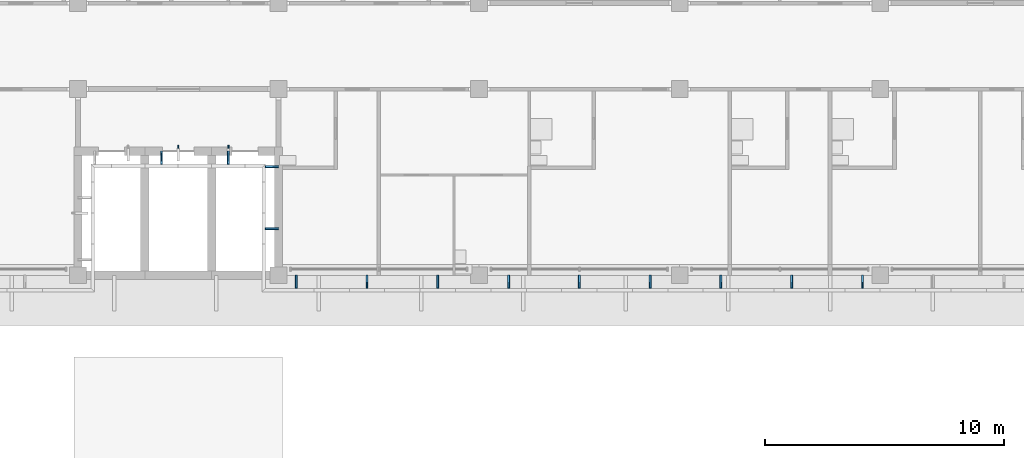
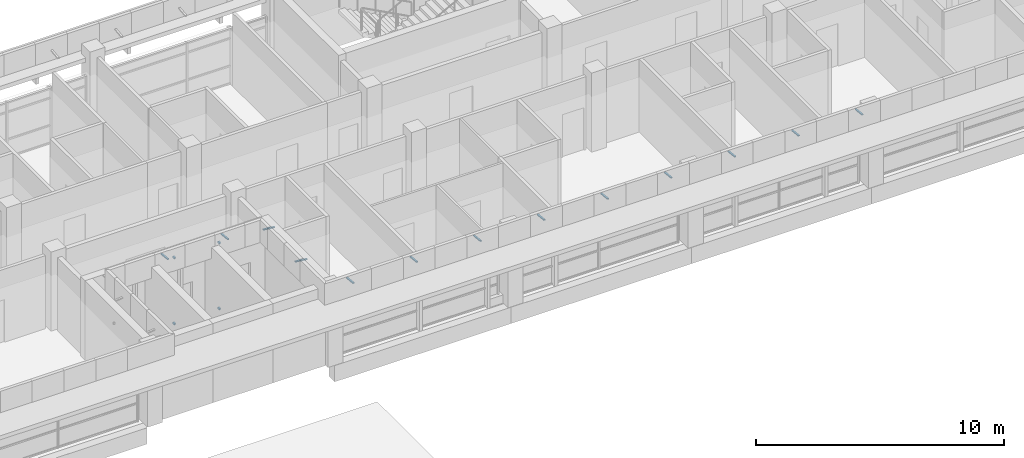
# One storey, part 24 of 36: 17 discrete accessories.
"""IFC4 building model written with IfcOpenShell, lengths in metres."""

from ifc_helpers import new_model, si_unit, direction, frame, origin, origin_2d, place, context, subcontext, project, spatial, rectangle, extrude, material, material_profile, profile_set, type_object, element, save


model = new_model("IFC4")

# Units and contexts
model_context = context("Model", 3, precision=1e-05, world=origin(), true_north=direction((0.0, 1.0)))
body_context = subcontext(model_context, "Body", "Model", "MODEL_VIEW")
ifc_project = project(units=[si_unit("LENGTHUNIT", "METRE"), si_unit("AREAUNIT", "SQUARE_METRE"), si_unit("VOLUMEUNIT", "CUBIC_METRE"), si_unit("PLANEANGLEUNIT", "RADIAN"), si_unit("MASSUNIT", "GRAM", prefix="KILO")], contexts=[model_context])

# Site, building, storey
site_placement = place(None, origin())
site = spatial("IfcSite", under=ifc_project, at=site_placement, CompositionType="ELEMENT")
building_placement = place(site_placement, origin())
building = spatial("IfcBuilding", under=site, at=building_placement, Name="Bougainvillea Quay General Hospital", CompositionType="ELEMENT")
storey_placement = place(building_placement, frame((0.0, 0.0, 32.699951171875)))
storey = spatial("IfcBuildingStorey", under=building, at=storey_placement, Name="L07", CompositionType="ELEMENT", Elevation=32.699951171875)

# Discrete accessories
ifc_material = material(Name="Stainless steel bracket, grade 316", Category="steel")
discrete_accessory_type_1 = type_object("IfcDiscreteAccessoryType", Name="Stainless steel fin arm 60x80", PredefinedType="BRACKET", material=ifc_material)
for number, where, z_axis, x_axis, name in (
    (1, (73.5, 145.7900390625, 0.0), (0.0, 0.0, 1.0), (0.0, -1.0, 0.0), "Fin arm V5A L07 04.1B"),
    (2, (73.5, 145.7900390625, 3.25), (0.0, 0.0, 1.0), (0.0, -1.0, 0.0), "Fin arm V5A L07 04.1T"),
    (3, (71.39990234375, 145.7900390625, 0.0), (0.0, 0.0, 1.0), (0.0, -1.0, 0.0), "Fin arm V5A L07 04.2B"),
    (4, (71.39990234375, 145.7900390625, 3.25), (0.0, 0.0, 1.0), (0.0, -1.0, 0.0), "Fin arm V5A L07 04.2T"),
):
    element("IfcDiscreteAccessory", number, at=place(storey_placement, frame(where, z_axis=z_axis, x_axis=x_axis)), inside=storey, type_object=discrete_accessory_type_1, Name=name, PredefinedType="BRACKET", context=body_context, shape_type="SweptSolid", body=[
        extrude(rectangle(XDim=0.1201171875, YDim=0.06005859375, at=origin_2d()), origin(), (0.0, 0.0, 1.0), 0.080078125),
    ])
ifc_material_profile = material_profile(ifc_material, rectangle(XDim=0.080078125, YDim=0.050048828125, at=origin_2d()))
ifc_profile_set = profile_set([ifc_material_profile], Name="Stainless steel bracket, grade 316")
discrete_accessory_type_2 = type_object("IfcDiscreteAccessoryType", Name="Stainless steel stand-off bracket 80x50", PredefinedType="BRACKET", material=ifc_profile_set)
for number, where, z_axis, x_axis, name in (
    (5, (70.699951171875, 145.60009765625, 3.840087890625), (0.0, -0.994091793559, 0.108542645901), (1.0, 0.0, 0.0), "Fascia bracket e0 133"),
    (6, (73.5, 145.60009765625, 3.840087890625), (0.0, -0.994091793559, 0.108542645901), (1.0, 0.0, 0.0), "Fascia bracket e0 135"),
    (7, (75.60009765625, 144.949951171875, 3.840087890625), (-0.994091793559, 0.0, 0.108542645901), (0.0, -1.0, 0.0), "Fascia bracket e0 137"),
    (8, (75.60009765625, 142.35009765625, 3.840087890625), (-0.994091793559, 0.0, 0.108542645901), (0.0, -1.0, 0.0), "Fascia bracket e0 139"),
):
    element("IfcDiscreteAccessory", number, at=place(storey_placement, frame(where, z_axis=z_axis, x_axis=x_axis)), inside=storey, type_object=discrete_accessory_type_2, Name=name, PredefinedType="BRACKET", context=body_context, shape_type="SweptSolid", body=[
        extrude(rectangle(XDim=0.080078125, YDim=0.050048828125, at=origin_2d()), origin(), (0.0, 0.0, 1.0), 0.55322265625),
    ])
for number, where, z_axis, x_axis, name in (
    (9, (76.341064453125, 140.39990234375, 3.840087890625), (0.0, -0.994086591779, 0.108590276011), (1.0, 0.0, 0.0), "Fascia bracket e0 141"),
    (10, (79.305908203125, 140.39990234375, 3.840087890625), (0.0, -0.994086591779, 0.108590276011), (1.0, 0.0, 0.0), "Fascia bracket e0 143"),
    (11, (82.2705078125, 140.39990234375, 3.840087890625), (0.0, -0.994086591779, 0.108590276011), (1.0, 0.0, 0.0), "Fascia bracket e0 145"),
    (12, (85.2353515625, 140.39990234375, 3.840087890625), (0.0, -0.994086591779, 0.108590276011), (1.0, 0.0, 0.0), "Fascia bracket e0 147"),
    (13, (88.199951171875, 140.39990234375, 3.840087890625), (0.0, -0.994086591779, 0.108590276011), (1.0, 0.0, 0.0), "Fascia bracket e0 149"),
    (14, (91.164794921875, 140.39990234375, 3.840087890625), (0.0, -0.994086591779, 0.108590276011), (1.0, 0.0, 0.0), "Fascia bracket e0 151"),
    (15, (94.12939453125, 140.39990234375, 3.840087890625), (0.0, -0.994086591779, 0.108590276011), (1.0, 0.0, 0.0), "Fascia bracket e0 153"),
    (16, (97.09423828125, 140.39990234375, 3.840087890625), (0.0, -0.994086591779, 0.108590276011), (1.0, 0.0, 0.0), "Fascia bracket e0 155"),
    (17, (100.058837890625, 140.39990234375, 3.840087890625), (0.0, -0.994086591779, 0.108590276011), (1.0, 0.0, 0.0), "Fascia bracket e0 157"),
):
    element("IfcDiscreteAccessory", number, at=place(storey_placement, frame(where, z_axis=z_axis, x_axis=x_axis)), inside=storey, type_object=discrete_accessory_type_2, Name=name, PredefinedType="BRACKET", context=body_context, shape_type="SweptSolid", body=[
        extrude(rectangle(XDim=0.080078125, YDim=0.050048828125, at=origin_2d()), origin(), (0.0, 0.0, 1.0), 0.552978515625),
    ])

save(model, "model.ifc")
